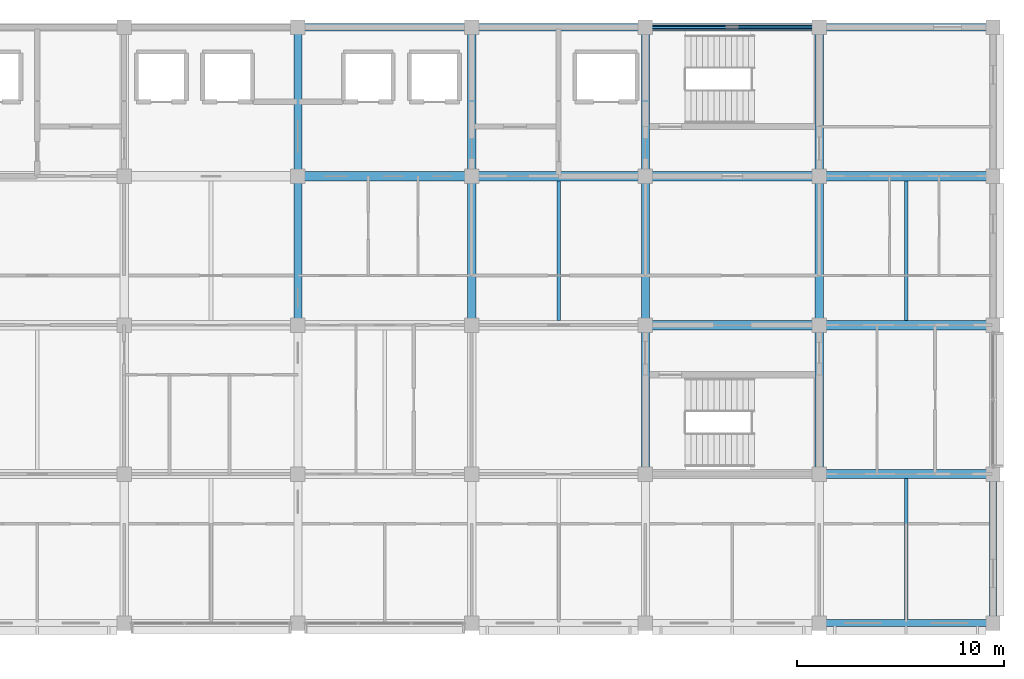
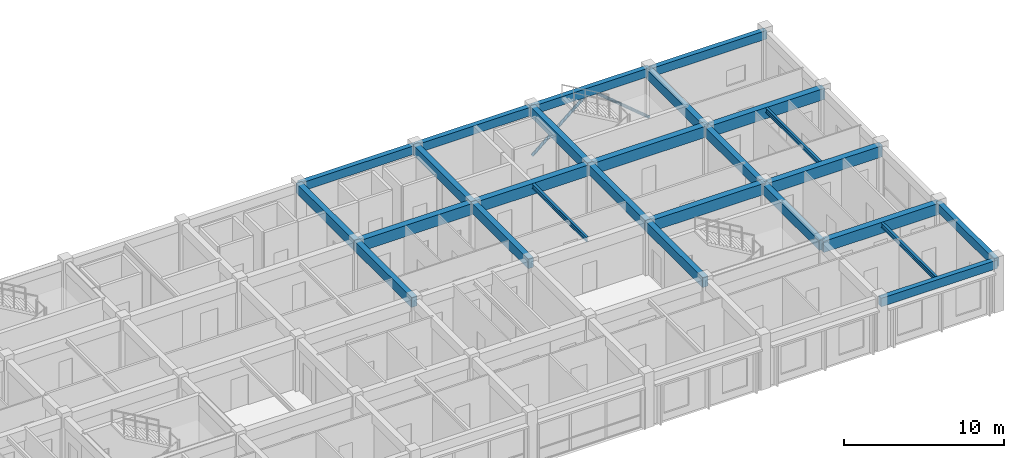
# One storey, part 6 of 19: 26 beams, 2 members.
"""IFC4 building model written with IfcOpenShell, lengths in metres."""

import ifcopenshell
import ifcopenshell.guid

model = None  # the IFC model being written
_history = None  # IfcOwnerHistory: only IFC2X3 demands one
_inside = {}  # id of a spatial element -> (the spatial element, [elements in it])
_under = {}  # id of a project, library or spatial element -> (it, [spatial elements below it])
_declared = {}  # id of a project -> (the project, [libraries it declares])
_typed = {}  # id of a type object -> (the type object, [elements of that type])
_made_of = {}  # id of a material, layer set ... -> (it, [elements and type objects made of it])


def new_model(schema):
    """Start an empty IFC model of exactly this schema.

    Asked for "IFC4X3", IfcOpenShell would pick the latest addendum, in which some entities
    have other attributes; the version numbers below select the first issue.
    IFC2X3 requires an IfcOwnerHistory on every rooted entity: one is made here for all.
    """
    global model, _history
    if schema == "IFC4X3":
        model = ifcopenshell.file(schema_version=(4, 3, 0, 0))
    else:
        model = ifcopenshell.file(schema=schema)
    _inside.clear()
    _under.clear()
    _declared.clear()
    _typed.clear()
    _made_of.clear()
    _history = None
    if model.schema == "IFC2X3":
        org = make("IfcOrganization", Name="unknown")
        user = make(
            "IfcPersonAndOrganization",
            ThePerson=make("IfcPerson", FamilyName="unknown"),
            TheOrganization=org,
        )
        app = make(
            "IfcApplication",
            ApplicationDeveloper=org,
            Version="unknown",
            ApplicationFullName="unknown",
            ApplicationIdentifier="unknown",
        )
        _history = make(
            "IfcOwnerHistory",
            OwningUser=user,
            OwningApplication=app,
            ChangeAction="ADDED",
            CreationDate=0,
        )
    return model


def make(cls, **values):
    """One entity of the class cls with the attributes given. An attribute that is None is left unset."""
    return model.create_entity(
        cls, **{name: value for name, value in values.items() if value is not None}
    )


def rooted(cls, **values):
    """An entity with a GlobalId (a new one), such as an element, a storey or a relation."""
    return make(cls, GlobalId=ifcopenshell.guid.new(), OwnerHistory=_history, **values)


def si_unit(unit_type, name, prefix=None):
    """IfcSIUnit, for example si_unit("LENGTHUNIT", "METRE", prefix="MILLI")."""
    return make("IfcSIUnit", UnitType=unit_type, Prefix=prefix, Name=name)


def assignment(units):
    """IfcUnitAssignment: the units of a project."""
    return None if units is None else make("IfcUnitAssignment", Units=units)


def point(xyz):
    """IfcCartesianPoint."""
    return None if xyz is None else make("IfcCartesianPoint", Coordinates=xyz)


def direction(xyz):
    """IfcDirection."""
    return None if xyz is None else make("IfcDirection", DirectionRatios=xyz)


def frame(location, z_axis=None, x_axis=None):
    """IfcAxis2Placement3D, a coordinate frame: its origin and axes. An axis left out is left unset."""
    return make(
        "IfcAxis2Placement3D",
        Location=point(location),
        Axis=direction(z_axis),
        RefDirection=direction(x_axis),
    )


def frame_2d(location, x_axis=None):
    """IfcAxis2Placement2D, a coordinate frame in the plane: its origin and x axis."""
    return make(
        "IfcAxis2Placement2D", Location=point(location), RefDirection=direction(x_axis)
    )


def origin():
    """The frame at (0, 0, 0) with its axes left unset."""
    return frame((0.0, 0.0, 0.0))


def origin_2d():
    """The frame at (0, 0) in the plane with its x axis left unset."""
    return frame_2d((0.0, 0.0))


def place(relative_to, where):
    """IfcLocalPlacement: puts the frame where relative to a parent placement (None: the world)."""
    return make(
        "IfcLocalPlacement", PlacementRelTo=relative_to, RelativePlacement=where
    )


def context(
    kind, dimensions, precision=None, world=None, true_north=None, identifier=None
):
    """IfcGeometricRepresentationContext, for example the 3D "Model" context."""
    return make(
        "IfcGeometricRepresentationContext",
        ContextIdentifier=identifier,
        ContextType=kind,
        CoordinateSpaceDimension=dimensions,
        Precision=precision,
        WorldCoordinateSystem=world,
        TrueNorth=true_north,
    )


def subcontext(parent, identifier, kind, view, scale=None):
    """IfcGeometricRepresentationSubContext, for example "Body" below "Model"."""
    return make(
        "IfcGeometricRepresentationSubContext",
        ContextIdentifier=identifier,
        ContextType=kind,
        ParentContext=parent,
        TargetScale=scale,
        TargetView=view,
    )


def project(units=None, contexts=None):
    """IfcProject with its units and contexts."""
    return rooted(
        "IfcProject",
        Name="project",
        RepresentationContexts=contexts,
        UnitsInContext=assignment(units),
    )


def spatial(cls, under=None, at=None, **own):
    """A site, building, storey or space (cls), placed at a placement, below another one or the project."""
    s = rooted(cls, ObjectPlacement=at, **own)
    if under is not None:
        _under.setdefault(under.id(), (under, []))[1].append(s)
    return s


def profile(cls, at=None, kind="AREA", **sizes):
    """A parametric profile (cls). Its sizes go by their IFC names, for example OverallWidth=200.0."""
    return make(cls, ProfileType=kind, Position=at, **sizes)


def rectangle(**sizes):
    """IfcRectangleProfileDef."""
    return profile("IfcRectangleProfileDef", **sizes)


def hollow_circle(**sizes):
    """IfcCircleHollowProfileDef."""
    return profile("IfcCircleHollowProfileDef", **sizes)


def i_section(**sizes):
    """IfcIShapeProfileDef."""
    return profile("IfcIShapeProfileDef", **sizes)


def extrude(swept, where, along, depth):
    """IfcExtrudedAreaSolid: the profile swept, set in the frame where, extruded along a direction by depth."""
    return make(
        "IfcExtrudedAreaSolid",
        SweptArea=swept,
        Position=where,
        ExtrudedDirection=direction(along),
        Depth=depth,
    )


def shape(context_of_items, identifier, shape_type, items):
    """IfcShapeRepresentation: the items that make up one representation, for example the "Body"."""
    return make(
        "IfcShapeRepresentation",
        ContextOfItems=context_of_items,
        RepresentationIdentifier=identifier,
        RepresentationType=shape_type,
        Items=items,
    )


def material(Name=None, Category=None):
    """IfcMaterial."""
    return make("IfcMaterial", Name=Name, Category=Category)


def material_profile(
    of_material, cross_section, Name=None, Category=None, Priority=None
):
    """IfcMaterialProfile: a cross section and its material."""
    return make(
        "IfcMaterialProfile",
        Name=Name,
        Material=of_material,
        Profile=cross_section,
        Priority=Priority,
        Category=Category,
    )


def profile_set(profiles, Name=None, composite=None):
    """IfcMaterialProfileSet."""
    return make(
        "IfcMaterialProfileSet",
        Name=Name,
        MaterialProfiles=profiles,
        CompositeProfile=composite,
    )


def made_of(thing, what):
    """Note that an element or type object is made of a material, layer set ...; save() writes the relation."""
    if what is not None:
        _made_of.setdefault(what.id(), (what, []))[1].append(thing)
    return thing


def type_object(cls, material=None, **own):
    """A type object (cls), such as IfcWallType, which elements share."""
    return made_of(rooted(cls, **own), material)


def element(
    cls,
    number,
    at=None,
    inside=None,
    cuts=None,
    type_object=None,
    material=None,
    context=None,
    identifier="Body",
    shape_type=None,
    held_by="IfcProductDefinitionShape",
    body=None,
    shapes=None,
    **own,
):
    """One element of the class cls, such as IfcWall. Its Tag is "e" and its number.

    at: its placement. inside: the storey or other place that contains it. cuts: it is an
    opening in that element (IfcRelVoidsElement). A single representation is given by context,
    identifier, shape_type and body (its items); several are given by shapes. held_by: the class
    of the entity that holds the representations. save() writes the other relations.
    """
    e = rooted(cls, Tag="e%d" % number, ObjectPlacement=at, **own)
    if body is not None:
        shapes = [shape(context, identifier, shape_type, body)]
    if shapes is not None:
        e.Representation = make(held_by, Representations=shapes)
    if inside is not None:
        _inside.setdefault(inside.id(), (inside, []))[1].append(e)
    if cuts is not None:
        rooted(
            "IfcRelVoidsElement", RelatingBuildingElement=cuts, RelatedOpeningElement=e
        )
    if type_object is not None:
        _typed.setdefault(type_object.id(), (type_object, []))[1].append(e)
    return made_of(e, material)


def aggregate(whole, parts):
    """IfcRelAggregates: a whole, such as a stair, and the parts it consists of."""
    return rooted("IfcRelAggregates", RelatingObject=whole, RelatedObjects=parts)


def save(model, path):
    """Write the relations noted so far, then the file.

    IfcRelAggregates (storeys below a building ...), IfcRelContainedInSpatialStructure (elements
    in a storey), IfcRelDefinesByType, IfcRelAssociatesMaterial and IfcRelDeclares: one each for
    every whole, place, type object, material and project.
    """
    for whole, parts in _under.values():
        aggregate(whole, parts)
    for where, things in _inside.values():
        rooted(
            "IfcRelContainedInSpatialStructure",
            RelatedElements=things,
            RelatingStructure=where,
        )
    for kind, things in _typed.values():
        rooted("IfcRelDefinesByType", RelatedObjects=things, RelatingType=kind)
    for what, things in _made_of.values():
        rooted("IfcRelAssociatesMaterial", RelatedObjects=things, RelatingMaterial=what)
    for by, libraries in _declared.values():
        rooted("IfcRelDeclares", RelatingContext=by, RelatedDefinitions=libraries)
    model.write(path)


model = new_model("IFC4")

# Units and contexts
model_context = context("Model", 3, precision=1e-05, world=origin(), true_north=direction((0.0, 1.0)))
body_context = subcontext(model_context, "Body", "Model", "MODEL_VIEW")
ifc_project = project(units=[si_unit("LENGTHUNIT", "METRE"), si_unit("AREAUNIT", "SQUARE_METRE"), si_unit("VOLUMEUNIT", "CUBIC_METRE"), si_unit("PLANEANGLEUNIT", "RADIAN"), si_unit("MASSUNIT", "GRAM", prefix="KILO")], contexts=[model_context])

# Site, building, storey
site_placement = place(None, origin())
site = spatial("IfcSite", under=ifc_project, at=site_placement, CompositionType="ELEMENT")
building_placement = place(site_placement, origin())
building = spatial("IfcBuilding", under=site, at=building_placement, Name="Chengyuan Square Courthouse", CompositionType="ELEMENT")
storey_placement = place(building_placement, frame((0.0, 0.0, 56.10009765625)))
storey = spatial("IfcBuildingStorey", under=building, at=storey_placement, Name="L13", CompositionType="ELEMENT", Elevation=56.10009765625)

# Beams
ifc_material_1 = material(Name="Concrete C40", Category="concrete")
ifc_material_profile_1 = material_profile(ifc_material_1, rectangle(XDim=0.449951171875, YDim=0.85009765625, at=origin_2d()), Name="RC-BM-450x850")
ifc_profile_set_1 = profile_set([ifc_material_profile_1], Name="Concrete C40")
beam_type_1 = type_object("IfcBeamType", Name="BM-01", PredefinedType="USERDEFINED", material=ifc_profile_set_1)
beam_1_placement = place(storey_placement, frame((109.199951171875, 86.39990234375, 3.4248046875), z_axis=(1.0, 0.0, 0.0), x_axis=(0.0, 1.0, 0.0)))
element("IfcBeam", 1, at=beam_1_placement, inside=storey, type_object=beam_type_1, Name="Girder BM-L13-4350", ObjectType="GIRDER", PredefinedType="USERDEFINED", context=body_context, shape_type="SweptSolid", body=[
    extrude(rectangle(XDim=0.449951171875, YDim=0.85009765625, at=origin_2d()), origin(), (0.0, 0.0, 1.0), 8.400146484375),
])
beam_2_placement = place(storey_placement, frame((100.800048828125, 93.60009765625, 3.534912109375), z_axis=(1.0, 0.0, 0.0), x_axis=(0.0, 1.0, 0.0)))
element("IfcBeam", 2, at=beam_2_placement, inside=storey, type_object=beam_type_1, Name="Girder BM-L13-4357", ObjectType="GIRDER", PredefinedType="USERDEFINED", context=body_context, shape_type="SweptSolid", body=[
    extrude(rectangle(XDim=0.449951171875, YDim=0.85009765625, at=origin_2d()), origin(), (0.0, 0.0, 1.0), 8.39990234375),
])
beam_3_placement = place(storey_placement, frame((109.199951171875, 93.60009765625, 3.4248046875), z_axis=(1.0, 0.0, 0.0), x_axis=(0.0, 1.0, 0.0)))
element("IfcBeam", 3, at=beam_3_placement, inside=storey, type_object=beam_type_1, Name="Girder BM-L13-4358", ObjectType="GIRDER", PredefinedType="USERDEFINED", context=body_context, shape_type="SweptSolid", body=[
    extrude(rectangle(XDim=0.449951171875, YDim=0.85009765625, at=origin_2d()), origin(), (0.0, 0.0, 1.0), 8.400146484375),
])
beam_4_placement = place(storey_placement, frame((84.0, 100.800048828125, 3.534912109375), z_axis=(1.0, 0.0, 0.0), x_axis=(0.0, 1.0, 0.0)))
element("IfcBeam", 4, at=beam_4_placement, inside=storey, type_object=beam_type_1, Name="Girder BM-L13-4363", ObjectType="GIRDER", PredefinedType="USERDEFINED", context=body_context, shape_type="SweptSolid", body=[
    extrude(rectangle(XDim=0.449951171875, YDim=0.85009765625, at=origin_2d()), origin(), (0.0, 0.0, 1.0), 8.39990234375),
])
beam_5_placement = place(storey_placement, frame((92.39990234375, 100.800048828125, 3.534912109375), z_axis=(1.0, 0.0, 0.0), x_axis=(0.0, 1.0, 0.0)))
element("IfcBeam", 5, at=beam_5_placement, inside=storey, type_object=beam_type_1, Name="Girder BM-L13-4364", ObjectType="GIRDER", PredefinedType="USERDEFINED", context=body_context, shape_type="SweptSolid", body=[
    extrude(rectangle(XDim=0.449951171875, YDim=0.85009765625, at=origin_2d()), origin(), (0.0, 0.0, 1.0), 8.400146484375),
])
beam_6_placement = place(storey_placement, frame((100.800048828125, 100.800048828125, 3.534912109375), z_axis=(1.0, 0.0, 0.0), x_axis=(0.0, 1.0, 0.0)))
element("IfcBeam", 6, at=beam_6_placement, inside=storey, type_object=beam_type_1, Name="Girder BM-L13-4365", ObjectType="GIRDER", PredefinedType="USERDEFINED", context=body_context, shape_type="SweptSolid", body=[
    extrude(rectangle(XDim=0.449951171875, YDim=0.85009765625, at=origin_2d()), origin(), (0.0, 0.0, 1.0), 8.39990234375),
])
beam_7_placement = place(storey_placement, frame((109.199951171875, 100.800048828125, 3.4248046875), z_axis=(1.0, 0.0, 0.0), x_axis=(0.0, 1.0, 0.0)))
element("IfcBeam", 7, at=beam_7_placement, inside=storey, type_object=beam_type_1, Name="Girder BM-L13-4366", ObjectType="GIRDER", PredefinedType="USERDEFINED", context=body_context, shape_type="SweptSolid", body=[
    extrude(rectangle(XDim=0.449951171875, YDim=0.85009765625, at=origin_2d()), origin(), (0.0, 0.0, 1.0), 8.400146484375),
])
ifc_material_profile_2 = material_profile(ifc_material_1, rectangle(XDim=0.39990234375, YDim=0.75, at=origin_2d()), Name="RC-BM-400x750")
ifc_profile_set_2 = profile_set([ifc_material_profile_2], Name="Concrete C40")
beam_type_2 = type_object("IfcBeamType", Name="BM-02", PredefinedType="USERDEFINED", material=ifc_profile_set_2)
for number, where, z_axis, x_axis, name in (
    (8, (84.0, 93.60009765625, 3.5849609375), (0.0, 1.0, 0.0), (-1.0, 0.0, 0.0), "Girder BM-L13-4393"),
    (9, (84.0, 100.800048828125, 3.5849609375), (0.0, 1.0, 0.0), (-1.0, 0.0, 0.0), "Girder BM-L13-4394"),
    (10, (92.39990234375, 93.60009765625, 3.5849609375), (0.0, 1.0, 0.0), (-1.0, 0.0, 0.0), "Girder BM-L13-4397"),
    (11, (92.39990234375, 100.800048828125, 3.5849609375), (0.0, 1.0, 0.0), (-1.0, 0.0, 0.0), "Girder BM-L13-4398"),
):
    element("IfcBeam", number, at=place(storey_placement, frame(where, z_axis=z_axis, x_axis=x_axis)), inside=storey, type_object=beam_type_2, Name=name, ObjectType="GIRDER", PredefinedType="USERDEFINED", context=body_context, shape_type="SweptSolid", body=[
        extrude(rectangle(XDim=0.39990234375, YDim=0.75, at=origin_2d()), origin(), (0.0, 0.0, 1.0), 7.199951171875),
    ])
beam_8_placement = place(storey_placement, frame((100.800048828125, 86.39990234375, 3.5849609375), z_axis=(0.0, 1.0, 0.0), x_axis=(-1.0, 0.0, 0.0)))
element("IfcBeam", 12, at=beam_8_placement, inside=storey, type_object=beam_type_2, Name="Girder BM-L13-4400", ObjectType="GIRDER", PredefinedType="USERDEFINED", context=body_context, shape_type="SweptSolid", body=[
    extrude(rectangle(XDim=0.39990234375, YDim=0.75, at=origin_2d()), origin(), (0.0, 0.0, 1.0), 7.2001953125),
])
for number, where, z_axis, x_axis, name in (
    (13, (100.800048828125, 93.60009765625, 3.5849609375), (0.0, 1.0, 0.0), (-1.0, 0.0, 0.0), "Girder BM-L13-4401"),
    (14, (100.800048828125, 100.800048828125, 3.5849609375), (0.0, 1.0, 0.0), (-1.0, 0.0, 0.0), "Girder BM-L13-4402"),
):
    element("IfcBeam", number, at=place(storey_placement, frame(where, z_axis=z_axis, x_axis=x_axis)), inside=storey, type_object=beam_type_2, Name=name, ObjectType="GIRDER", PredefinedType="USERDEFINED", context=body_context, shape_type="SweptSolid", body=[
        extrude(rectangle(XDim=0.39990234375, YDim=0.75, at=origin_2d()), origin(), (0.0, 0.0, 1.0), 7.199951171875),
    ])
beam_9_placement = place(storey_placement, frame((109.199951171875, 86.39990234375, 3.474853515625), z_axis=(0.0, 1.0, 0.0), x_axis=(-1.0, 0.0, 0.0)))
element("IfcBeam", 15, at=beam_9_placement, inside=storey, type_object=beam_type_2, Name="Girder BM-L13-4404", ObjectType="GIRDER", PredefinedType="USERDEFINED", context=body_context, shape_type="SweptSolid", body=[
    extrude(rectangle(XDim=0.39990234375, YDim=0.75, at=origin_2d()), origin(), (0.0, 0.0, 1.0), 7.2001953125),
])
for number, where, z_axis, x_axis, name in (
    (16, (109.199951171875, 93.60009765625, 3.474853515625), (0.0, 1.0, 0.0), (-1.0, 0.0, 0.0), "Girder BM-L13-4405"),
    (17, (109.199951171875, 100.800048828125, 3.474853515625), (0.0, 1.0, 0.0), (-1.0, 0.0, 0.0), "Girder BM-L13-4406"),
):
    element("IfcBeam", number, at=place(storey_placement, frame(where, z_axis=z_axis, x_axis=x_axis)), inside=storey, type_object=beam_type_2, Name=name, ObjectType="GIRDER", PredefinedType="USERDEFINED", context=body_context, shape_type="SweptSolid", body=[
        extrude(rectangle(XDim=0.39990234375, YDim=0.75, at=origin_2d()), origin(), (0.0, 0.0, 1.0), 7.199951171875),
    ])
ifc_material_profile_3 = material_profile(ifc_material_1, rectangle(XDim=0.35009765625, YDim=0.64990234375, at=origin_2d()), Name="RC-BM-350x650")
ifc_profile_set_3 = profile_set([ifc_material_profile_3], Name="Concrete C40")
beam_type_3 = type_object("IfcBeamType", Name="BM-03", PredefinedType="SPANDREL", material=ifc_profile_set_3)
beam_10_placement = place(storey_placement, frame((109.199951171875, 79.199951171875, 3.52490234375), z_axis=(1.0, 0.0, 0.0), x_axis=(0.0, 1.0, 0.0)))
element("IfcBeam", 18, at=beam_10_placement, inside=storey, type_object=beam_type_3, Name="Girder BM-L13-4342", PredefinedType="SPANDREL", context=body_context, shape_type="SweptSolid", body=[
    extrude(rectangle(XDim=0.35009765625, YDim=0.64990234375, at=origin_2d()), origin(), (0.0, 0.0, 1.0), 8.400146484375),
])
beam_11_placement = place(storey_placement, frame((84.0, 108.0, 3.635009765625), z_axis=(1.0, 0.0, 0.0), x_axis=(0.0, 1.0, 0.0)))
element("IfcBeam", 19, at=beam_11_placement, inside=storey, type_object=beam_type_3, Name="Girder BM-L13-4371", PredefinedType="SPANDREL", context=body_context, shape_type="SweptSolid", body=[
    extrude(rectangle(XDim=0.35009765625, YDim=0.64990234375, at=origin_2d()), origin(), (0.0, 0.0, 1.0), 8.39990234375),
])
beam_12_placement = place(storey_placement, frame((92.39990234375, 108.0, 3.635009765625), z_axis=(1.0, 0.0, 0.0), x_axis=(0.0, 1.0, 0.0)))
element("IfcBeam", 20, at=beam_12_placement, inside=storey, type_object=beam_type_3, Name="Girder BM-L13-4372", PredefinedType="SPANDREL", context=body_context, shape_type="SweptSolid", body=[
    extrude(rectangle(XDim=0.35009765625, YDim=0.64990234375, at=origin_2d()), origin(), (0.0, 0.0, 1.0), 8.400146484375),
])
beam_13_placement = place(storey_placement, frame((100.800048828125, 108.0, 3.635009765625), z_axis=(1.0, 0.0, 0.0), x_axis=(0.0, 1.0, 0.0)))
element("IfcBeam", 21, at=beam_13_placement, inside=storey, type_object=beam_type_3, Name="Girder BM-L13-4373", PredefinedType="SPANDREL", context=body_context, shape_type="SweptSolid", body=[
    extrude(rectangle(XDim=0.35009765625, YDim=0.64990234375, at=origin_2d()), origin(), (0.0, 0.0, 1.0), 8.39990234375),
])
beam_14_placement = place(storey_placement, frame((109.199951171875, 108.0, 3.52490234375), z_axis=(1.0, 0.0, 0.0), x_axis=(0.0, 1.0, 0.0)))
element("IfcBeam", 22, at=beam_14_placement, inside=storey, type_object=beam_type_3, Name="Girder BM-L13-4374", PredefinedType="SPANDREL", context=body_context, shape_type="SweptSolid", body=[
    extrude(rectangle(XDim=0.35009765625, YDim=0.64990234375, at=origin_2d()), origin(), (0.0, 0.0, 1.0), 8.400146484375),
])
beam_15_placement = place(storey_placement, frame((117.60009765625, 79.199951171875, 3.52490234375), z_axis=(0.0, 1.0, 0.0), x_axis=(-1.0, 0.0, 0.0)))
element("IfcBeam", 23, at=beam_15_placement, inside=storey, type_object=beam_type_3, Name="Girder BM-L13-4407", PredefinedType="SPANDREL", context=body_context, shape_type="SweptSolid", body=[
    extrude(rectangle(XDim=0.35009765625, YDim=0.64990234375, at=origin_2d()), origin(), (0.0, 0.0, 1.0), 7.199951171875),
])
ifc_material_2 = material(Name="Steel Q355B", Category="steel")
ifc_material_profile_4 = material_profile(ifc_material_2, i_section(OverallWidth=0.175048828125, OverallDepth=0.35009765625, WebThickness=0.007080078125, FlangeThickness=0.010986328125, at=origin_2d()), Name="HN 350x175x7x11")
ifc_profile_set_4 = profile_set([ifc_material_profile_4], Name="Steel Q355B")
beam_type_4 = type_object("IfcBeamType", Name="BM-08", PredefinedType="BEAM", material=ifc_profile_set_4)
beam_16_placement = place(storey_placement, frame((96.60009765625, 93.824951171875, 3.784912109375), z_axis=(0.0, 1.0, 0.0), x_axis=(-1.0, 0.0, 0.0)))
element("IfcBeam", 24, at=beam_16_placement, inside=storey, type_object=beam_type_4, Name="Secondary Floor Beam SBM-L13-4421", PredefinedType="BEAM", context=body_context, shape_type="SweptSolid", body=[
    extrude(i_section(OverallWidth=0.175048828125, OverallDepth=0.35009765625, WebThickness=0.007080078125, FlangeThickness=0.010986328125, at=origin_2d()), origin(), (0.0, 0.0, 1.0), 6.75),
])
beam_17_placement = place(storey_placement, frame((113.39990234375, 79.375, 3.6748046875), z_axis=(0.0, 1.0, 0.0), x_axis=(-1.0, 0.0, 0.0)))
element("IfcBeam", 25, at=beam_17_placement, inside=storey, type_object=beam_type_4, Name="Secondary Floor Beam SBM-L13-4422", PredefinedType="BEAM", context=body_context, shape_type="SweptSolid", body=[
    extrude(i_section(OverallWidth=0.175048828125, OverallDepth=0.35009765625, WebThickness=0.007080078125, FlangeThickness=0.010986328125, at=origin_2d()), origin(), (0.0, 0.0, 1.0), 6.800048828125),
])
beam_18_placement = place(storey_placement, frame((113.39990234375, 93.824951171875, 3.6748046875), z_axis=(0.0, 1.0, 0.0), x_axis=(-1.0, 0.0, 0.0)))
element("IfcBeam", 26, at=beam_18_placement, inside=storey, type_object=beam_type_4, Name="Secondary Floor Beam SBM-L13-4423", PredefinedType="BEAM", context=body_context, shape_type="SweptSolid", body=[
    extrude(i_section(OverallWidth=0.175048828125, OverallDepth=0.35009765625, WebThickness=0.007080078125, FlangeThickness=0.010986328125, at=origin_2d()), origin(), (0.0, 0.0, 1.0), 6.75),
])

# Members
ifc_material_profile_5 = material_profile(ifc_material_2, hollow_circle(Radius=0.109619140625, WallThickness=0.008056640625, at=origin_2d()), Name="CHS 219x8")
ifc_profile_set_5 = profile_set([ifc_material_profile_5], Name="Steel Q355B")
member_type = type_object("IfcMemberType", Name="BR-02", PredefinedType="BRACE", material=ifc_profile_set_5)
for number, where, z_axis, x_axis, name in (
    (27, (100.800048828125, 108.0, 0.099853515625), (0.767317473151, 0.0, 0.641267413329), (0.0, 1.0, 0.0), "Steel Chevron Brace BR-L13-051"),
    (28, (109.199951171875, 108.0, 0.099853515625), (-0.767317473151, 0.0, 0.641267413329), (0.0, -1.0, 0.0), "Steel Chevron Brace BR-L13-052"),
):
    element("IfcMember", number, at=place(storey_placement, frame(where, z_axis=z_axis, x_axis=x_axis)), inside=storey, type_object=member_type, Name=name, PredefinedType="BRACE", context=body_context, shape_type="SweptSolid", body=[
        extrude(hollow_circle(Radius=0.109619140625, WallThickness=0.008056640625, at=origin_2d()), origin(), (0.0, 0.0, 1.0), 5.4736328125),
    ])

save(model, "model.ifc")
